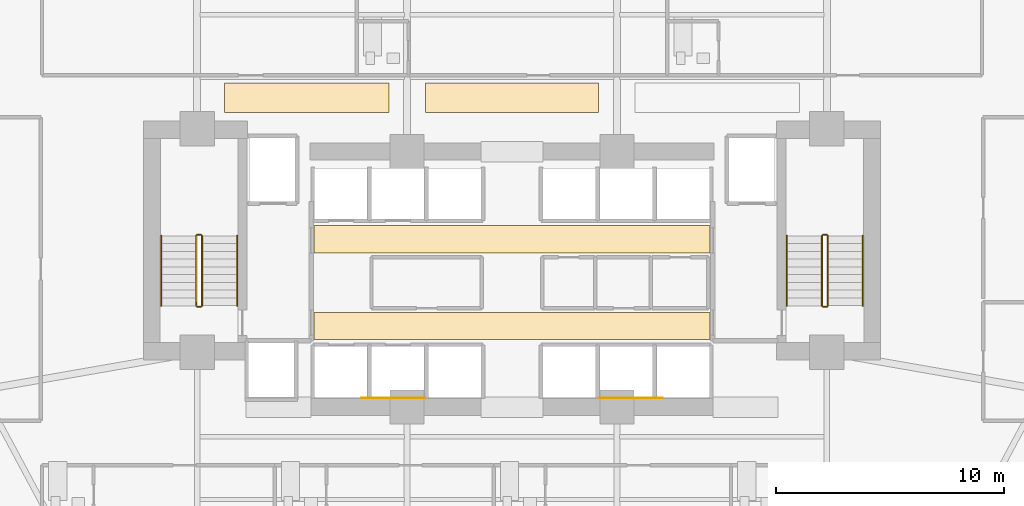
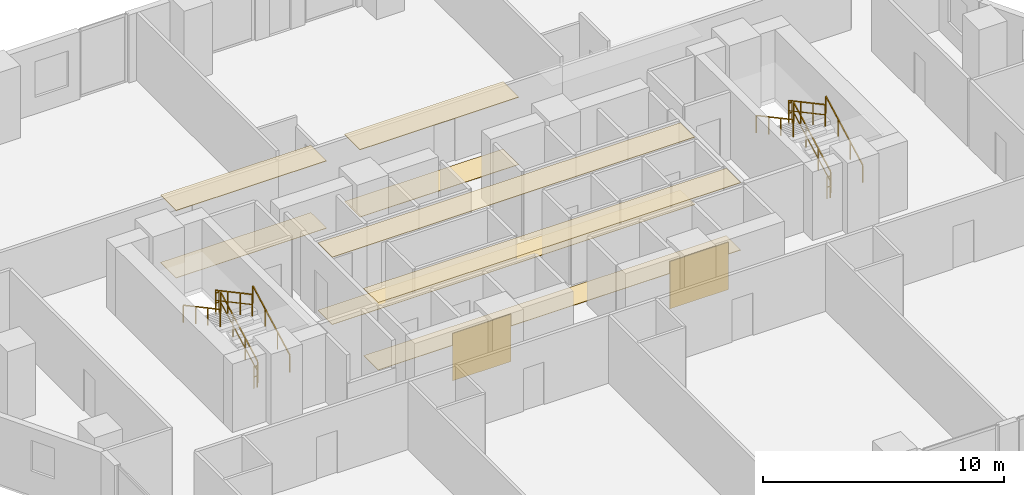
# One storey, part 26 of 28: 12 railings, 10 coverings.
"""IFC4 building model written with IfcOpenShell, lengths in metres."""

from ifc_helpers import new_model, si_unit, direction, frame, origin, origin_2d, place, context, subcontext, project, spatial, polyline, rectangle, outline, extrude, material, layer, layer_set, type_object, element, save


model = new_model("IFC4")

# Units and contexts
model_context = context("Model", 3, precision=1e-05, world=origin(), true_north=direction((0.0, 1.0)))
body_context = subcontext(model_context, "Body", "Model", "MODEL_VIEW")
ifc_project = project(units=[si_unit("LENGTHUNIT", "METRE"), si_unit("AREAUNIT", "SQUARE_METRE"), si_unit("VOLUMEUNIT", "CUBIC_METRE"), si_unit("PLANEANGLEUNIT", "RADIAN"), si_unit("MASSUNIT", "GRAM", prefix="KILO")], contexts=[model_context])

# Site, building, storey
site_placement = place(None, origin())
site = spatial("IfcSite", under=ifc_project, at=site_placement, CompositionType="ELEMENT")
building_placement = place(site_placement, origin())
building = spatial("IfcBuilding", under=site, at=building_placement, Name="Zuhayl Quay Hotel", CompositionType="ELEMENT")
storey_placement = place(building_placement, frame((0.0, 0.0, 143.10009765625)))
storey = spatial("IfcBuildingStorey", under=building, at=storey_placement, Name="L36", CompositionType="ELEMENT", Elevation=143.10009765625)

# Coverings
ifc_material_1 = material(Name="Acoustic Mineral-Fibre Gypsum Board")
ifc_layer_1 = layer(ifc_material_1, 0.02490234375, Name="Acoustic Mineral-Fibre Gypsum Board")
ifc_layer_set_1 = layer_set([ifc_layer_1], Name="Acoustic Mineral-Fibre Gypsum Board")
covering_type_1 = type_object("IfcCoveringType", Name="CV_CEIL_ACOUSTIC", PredefinedType="CEILING", material=ifc_layer_set_1)
covering_1_placement = place(storey_placement, frame((0.0, 0.0, 3.40478515625)))
element("IfcCovering", 1, at=covering_1_placement, inside=storey, type_object=covering_type_1, Name="L36 Suspended Acoustic Lobby Ceiling S", PredefinedType="CEILING", context=body_context, shape_type="SweptSolid", body=[
    extrude(outline(polyline([(-8.679931640625, 5.10009765625), (8.679931640625, 5.10009765625), (8.679931640625, 6.300048828125), (-8.679931640625, 6.300048828125), (-8.679931640625, 5.10009765625)])), origin(), (0.0, 0.0, 1.0), 0.025146484375),
])
covering_2_placement = place(storey_placement, frame((0.0, 0.0, 3.40478515625)))
element("IfcCovering", 2, at=covering_2_placement, inside=storey, type_object=covering_type_1, Name="L36 Suspended Acoustic Lobby Ceiling N", PredefinedType="CEILING", context=body_context, shape_type="SweptSolid", body=[
    extrude(outline(polyline([(-8.679931640625, 8.89990234375), (8.679931640625, 8.89990234375), (8.679931640625, 10.10009765625), (-8.679931640625, 10.10009765625), (-8.679931640625, 8.89990234375)])), origin(), (0.0, 0.0, 1.0), 0.025146484375),
])
covering_3_placement = place(storey_placement, frame((0.0, 0.0, 3.40478515625)))
element("IfcCovering", 3, at=covering_3_placement, inside=storey, type_object=covering_type_1, Name="L36 Guest Corridor Acoustic Ceiling CW", PredefinedType="CEILING", context=body_context, shape_type="SweptSolid", body=[
    extrude(outline(polyline([(-12.60009765625, 15.050048828125), (-5.39990234375, 15.050048828125), (-5.39990234375, 16.35009765625), (-12.60009765625, 16.35009765625), (-12.60009765625, 15.050048828125)])), origin(), (0.0, 0.0, 1.0), 0.025146484375),
])
covering_4_placement = place(storey_placement, frame((0.0, 0.0, 3.40478515625)))
element("IfcCovering", 4, at=covering_4_placement, inside=storey, type_object=covering_type_1, Name="L36 Guest Corridor Acoustic Ceiling CC", PredefinedType="CEILING", context=body_context, shape_type="SweptSolid", body=[
    extrude(outline(polyline([(-3.800048828125, 15.050048828125), (3.800048828125, 15.050048828125), (3.800048828125, 16.35009765625), (-3.800048828125, 16.35009765625), (-3.800048828125, 15.050048828125)])), origin(), (0.0, 0.0, 1.0), 0.025146484375),
])
ifc_material_2 = material(Name="Polished Limestone Terrazzo", Category="masonry")
ifc_layer_2 = layer(ifc_material_2, 0.02001953125, Name="Polished Limestone Terrazzo", Category="masonry")
ifc_layer_set_2 = layer_set([ifc_layer_2], Name="Polished Limestone Terrazzo")
covering_type_2 = type_object("IfcCoveringType", Name="CV_FLOOR_TERRAZZO", PredefinedType="FLOORING", material=ifc_layer_set_2)
covering_5_placement = place(storey_placement, origin())
element("IfcCovering", 5, at=covering_5_placement, inside=storey, type_object=covering_type_2, Name="L36 Honed Limestone Terrazzo Lobby Flooring S", PredefinedType="FLOORING", context=body_context, shape_type="SweptSolid", body=[
    extrude(outline(polyline([(-8.679931640625, 5.10009765625), (8.679931640625, 5.10009765625), (8.679931640625, 6.300048828125), (-8.679931640625, 6.300048828125), (-8.679931640625, 5.10009765625)])), origin(), (0.0, 0.0, 1.0), 0.02001953125),
])
covering_6_placement = place(storey_placement, origin())
element("IfcCovering", 6, at=covering_6_placement, inside=storey, type_object=covering_type_2, Name="L36 Honed Limestone Terrazzo Lobby Flooring N", PredefinedType="FLOORING", context=body_context, shape_type="SweptSolid", body=[
    extrude(outline(polyline([(-8.679931640625, 8.89990234375), (8.679931640625, 8.89990234375), (8.679931640625, 10.10009765625), (-8.679931640625, 10.10009765625), (-8.679931640625, 8.89990234375)])), origin(), (0.0, 0.0, 1.0), 0.02001953125),
])
covering_7_placement = place(storey_placement, origin())
element("IfcCovering", 7, at=covering_7_placement, inside=storey, type_object=covering_type_2, Name="L36 Guest Corridor Terrazzo Runner CW", PredefinedType="FLOORING", context=body_context, shape_type="SweptSolid", body=[
    extrude(outline(polyline([(-12.60009765625, 15.050048828125), (-5.39990234375, 15.050048828125), (-5.39990234375, 16.35009765625), (-12.60009765625, 16.35009765625), (-12.60009765625, 15.050048828125)])), origin(), (0.0, 0.0, 1.0), 0.02001953125),
])
covering_8_placement = place(storey_placement, origin())
element("IfcCovering", 8, at=covering_8_placement, inside=storey, type_object=covering_type_2, Name="L36 Guest Corridor Terrazzo Runner CC", PredefinedType="FLOORING", context=body_context, shape_type="SweptSolid", body=[
    extrude(outline(polyline([(-3.800048828125, 15.050048828125), (3.800048828125, 15.050048828125), (3.800048828125, 16.35009765625), (-3.800048828125, 16.35009765625), (-3.800048828125, 15.050048828125)])), origin(), (0.0, 0.0, 1.0), 0.02001953125),
])
ifc_material_3 = material(Name="Acoustic Walnut Feature Timber", Category="wood")
ifc_layer_3 = layer(ifc_material_3, 0.02197265625, Name="Acoustic Walnut Feature Timber", Category="wood")
ifc_layer_set_3 = layer_set([ifc_layer_3], Name="Acoustic Walnut Feature Timber")
covering_type_3 = type_object("IfcCoveringType", Name="CV_WALL_CLAD", PredefinedType="CLADDING", material=ifc_layer_set_3)
for number, where, z_axis, x_axis, name in (
    (9, (-5.199951171875, 2.535888671875, 0.300048828125), (0.0, 0.0, 1.0), (1.0, 0.0, 0.0), "L36 Feature Lobby Walnut Wall Cladding W"),
    (10, (5.199951171875, 2.535888671875, 0.300048828125), (0.0, 0.0, 1.0), (1.0, 0.0, 0.0), "L36 Feature Lobby Walnut Wall Cladding E"),
):
    element("IfcCovering", number, at=place(storey_placement, frame(where, z_axis=z_axis, x_axis=x_axis)), inside=storey, type_object=covering_type_3, Name=name, PredefinedType="CLADDING", context=body_context, shape_type="SweptSolid", body=[
        extrude(rectangle(XDim=2.800048828125, YDim=0.02197265625, at=origin_2d()), origin(), (0.0, 0.0, 1.0), 2.39990234375),
    ])

# Railings
ifc_material_4 = material(Name="Steel ASTM A992 Grade 50", Category="steel")
railing_type_1 = type_object("IfcRailingType", Name="RL_GUARD_1100", PredefinedType="GUARDRAIL", material=ifc_material_4)
railing_1_placement = place(storey_placement, frame((-13.590087890625, 6.590087890625, 0.182373046875)))
element("IfcRailing", 11, at=railing_1_placement, inside=storey, type_object=railing_type_1, Name="L36 ST1 stair guard 1", PredefinedType="GUARDRAIL", context=body_context, shape_type="SweptSolid", body=[
    extrude(rectangle(XDim=0.048095703125, YDim=0.048095703125, at=origin_2d()), frame((0.0, 0.0, 1.09619140625), z_axis=(0.0, 0.88107310026, 0.472980117973), x_axis=(-1.0, 0.0, 0.0)), (0.0, 0.0, 1.0), 3.472900390625),
    extrude(rectangle(XDim=0.0361328125, YDim=0.0361328125, at=origin_2d()), frame((0.0, 0.0, 0.58251953125), z_axis=(0.0, 0.88107310026, 0.472980117973), x_axis=(-1.0, 0.0, 0.0)), (0.0, 0.0, 1.0), 3.472900390625),
    extrude(rectangle(XDim=0.0419921875, YDim=0.0419921875, at=origin_2d()), origin(), (0.0, 0.0, 1.0), 1.072021484375),
    extrude(rectangle(XDim=0.0419921875, YDim=0.0419921875, at=origin_2d()), frame((0.0, 1.02001953125, 0.547607421875)), (0.0, 0.0, 1.0), 1.072021484375),
    extrude(rectangle(XDim=0.0419921875, YDim=0.0419921875, at=origin_2d()), frame((0.0, 2.039794921875, 1.094970703125)), (0.0, 0.0, 1.0), 1.072021484375),
    extrude(rectangle(XDim=0.0419921875, YDim=0.0419921875, at=origin_2d()), frame((0.0, 3.059814453125, 1.642578125)), (0.0, 0.0, 1.0), 1.072021484375),
])
railing_2_placement = place(storey_placement, frame((-13.639892578125, 9.699951171875, 1.824951171875)))
element("IfcRailing", 12, at=railing_2_placement, inside=storey, type_object=railing_type_1, Name="L36 ST1 stair guard 2", PredefinedType="GUARDRAIL", context=body_context, shape_type="SweptSolid", body=[
    extrude(rectangle(XDim=0.048095703125, YDim=0.048095703125, at=origin_2d()), frame((0.0, 0.0, 1.09619140625), z_axis=(-1.0, 0.0, 0.0), x_axis=(0.0, -1.0, 0.0)), (0.0, 0.0, 1.0), 0.150146484375),
    extrude(rectangle(XDim=0.0361328125, YDim=0.0361328125, at=origin_2d()), frame((0.0, 0.0, 0.58251953125), z_axis=(-1.0, 0.0, 0.0), x_axis=(0.0, -1.0, 0.0)), (0.0, 0.0, 1.0), 0.150146484375),
    extrude(rectangle(XDim=0.0419921875, YDim=0.0419921875, at=origin_2d()), origin(), (0.0, 0.0, 1.0), 1.072021484375),
    extrude(rectangle(XDim=0.0419921875, YDim=0.0419921875, at=origin_2d()), frame((-0.150146484375, 0.0, 0.0)), (0.0, 0.0, 1.0), 1.072021484375),
])
railing_3_placement = place(storey_placement, frame((-13.840087890625, 9.64990234375, 2.00732421875)))
element("IfcRailing", 13, at=railing_3_placement, inside=storey, type_object=railing_type_1, Name="L36 ST1 stair guard 3", PredefinedType="GUARDRAIL", context=body_context, shape_type="SweptSolid", body=[
    extrude(rectangle(XDim=0.048095703125, YDim=0.048095703125, at=origin_2d()), frame((0.0, 0.0, 1.09619140625), z_axis=(0.0, -0.88107310026, 0.472980117973), x_axis=(1.0, 0.0, 0.0)), (0.0, 0.0, 1.0), 3.472900390625),
    extrude(rectangle(XDim=0.0361328125, YDim=0.0361328125, at=origin_2d()), frame((0.0, 0.0, 0.58251953125), z_axis=(0.0, -0.88107310026, 0.472980117973), x_axis=(1.0, 0.0, 0.0)), (0.0, 0.0, 1.0), 3.472900390625),
    extrude(rectangle(XDim=0.0419921875, YDim=0.0419921875, at=origin_2d()), origin(), (0.0, 0.0, 1.0), 1.072021484375),
    extrude(rectangle(XDim=0.0419921875, YDim=0.0419921875, at=origin_2d()), frame((0.0, -1.02001953125, 0.547607421875)), (0.0, 0.0, 1.0), 1.072021484375),
    extrude(rectangle(XDim=0.0419921875, YDim=0.0419921875, at=origin_2d()), frame((0.0, -2.039794921875, 1.094970703125)), (0.0, 0.0, 1.0), 1.072021484375),
    extrude(rectangle(XDim=0.0419921875, YDim=0.0419921875, at=origin_2d()), frame((0.0, -3.059814453125, 1.642578125)), (0.0, 0.0, 1.0), 1.072021484375),
])
railing_4_placement = place(storey_placement, frame((-13.639892578125, 6.5400390625, 0.0)))
element("IfcRailing", 14, at=railing_4_placement, inside=storey, type_object=railing_type_1, Name="L36 ST1 stair guard 4", PredefinedType="GUARDRAIL", context=body_context, shape_type="SweptSolid", body=[
    extrude(rectangle(XDim=0.048095703125, YDim=0.048095703125, at=origin_2d()), frame((0.0, 0.0, 1.09619140625), z_axis=(-1.0, 0.0, 0.0), x_axis=(0.0, -1.0, 0.0)), (0.0, 0.0, 1.0), 0.150146484375),
    extrude(rectangle(XDim=0.0361328125, YDim=0.0361328125, at=origin_2d()), frame((0.0, 0.0, 0.58251953125), z_axis=(-1.0, 0.0, 0.0), x_axis=(0.0, -1.0, 0.0)), (0.0, 0.0, 1.0), 0.150146484375),
    extrude(rectangle(XDim=0.0419921875, YDim=0.0419921875, at=origin_2d()), origin(), (0.0, 0.0, 1.0), 1.072021484375),
    extrude(rectangle(XDim=0.0419921875, YDim=0.0419921875, at=origin_2d()), frame((-0.150146484375, 0.0, 0.0)), (0.0, 0.0, 1.0), 1.072021484375),
])
railing_5_placement = place(storey_placement, frame((13.840087890625, 6.590087890625, 0.182373046875)))
element("IfcRailing", 15, at=railing_5_placement, inside=storey, type_object=railing_type_1, Name="L36 ST2 stair guard 1", PredefinedType="GUARDRAIL", context=body_context, shape_type="SweptSolid", body=[
    extrude(rectangle(XDim=0.048095703125, YDim=0.048095703125, at=origin_2d()), frame((0.0, 0.0, 1.09619140625), z_axis=(0.0, 0.88107310026, 0.472980117973), x_axis=(-1.0, 0.0, 0.0)), (0.0, 0.0, 1.0), 3.472900390625),
    extrude(rectangle(XDim=0.0361328125, YDim=0.0361328125, at=origin_2d()), frame((0.0, 0.0, 0.58251953125), z_axis=(0.0, 0.88107310026, 0.472980117973), x_axis=(-1.0, 0.0, 0.0)), (0.0, 0.0, 1.0), 3.472900390625),
    extrude(rectangle(XDim=0.0419921875, YDim=0.0419921875, at=origin_2d()), origin(), (0.0, 0.0, 1.0), 1.072021484375),
    extrude(rectangle(XDim=0.0419921875, YDim=0.0419921875, at=origin_2d()), frame((0.0, 1.02001953125, 0.547607421875)), (0.0, 0.0, 1.0), 1.072021484375),
    extrude(rectangle(XDim=0.0419921875, YDim=0.0419921875, at=origin_2d()), frame((0.0, 2.039794921875, 1.094970703125)), (0.0, 0.0, 1.0), 1.072021484375),
    extrude(rectangle(XDim=0.0419921875, YDim=0.0419921875, at=origin_2d()), frame((0.0, 3.059814453125, 1.642578125)), (0.0, 0.0, 1.0), 1.072021484375),
])
railing_6_placement = place(storey_placement, frame((13.7900390625, 9.699951171875, 1.824951171875)))
element("IfcRailing", 16, at=railing_6_placement, inside=storey, type_object=railing_type_1, Name="L36 ST2 stair guard 2", PredefinedType="GUARDRAIL", context=body_context, shape_type="SweptSolid", body=[
    extrude(rectangle(XDim=0.048095703125, YDim=0.048095703125, at=origin_2d()), frame((0.0, 0.0, 1.09619140625), z_axis=(-1.0, 0.0, 0.0), x_axis=(0.0, -1.0, 0.0)), (0.0, 0.0, 1.0), 0.150146484375),
    extrude(rectangle(XDim=0.0361328125, YDim=0.0361328125, at=origin_2d()), frame((0.0, 0.0, 0.58251953125), z_axis=(-1.0, 0.0, 0.0), x_axis=(0.0, -1.0, 0.0)), (0.0, 0.0, 1.0), 0.150146484375),
    extrude(rectangle(XDim=0.0419921875, YDim=0.0419921875, at=origin_2d()), origin(), (0.0, 0.0, 1.0), 1.072021484375),
    extrude(rectangle(XDim=0.0419921875, YDim=0.0419921875, at=origin_2d()), frame((-0.150146484375, 0.0, 0.0)), (0.0, 0.0, 1.0), 1.072021484375),
])
railing_7_placement = place(storey_placement, frame((13.590087890625, 9.64990234375, 2.00732421875)))
element("IfcRailing", 17, at=railing_7_placement, inside=storey, type_object=railing_type_1, Name="L36 ST2 stair guard 3", PredefinedType="GUARDRAIL", context=body_context, shape_type="SweptSolid", body=[
    extrude(rectangle(XDim=0.048095703125, YDim=0.048095703125, at=origin_2d()), frame((0.0, 0.0, 1.09619140625), z_axis=(0.0, -0.88107310026, 0.472980117973), x_axis=(1.0, 0.0, 0.0)), (0.0, 0.0, 1.0), 3.472900390625),
    extrude(rectangle(XDim=0.0361328125, YDim=0.0361328125, at=origin_2d()), frame((0.0, 0.0, 0.58251953125), z_axis=(0.0, -0.88107310026, 0.472980117973), x_axis=(1.0, 0.0, 0.0)), (0.0, 0.0, 1.0), 3.472900390625),
    extrude(rectangle(XDim=0.0419921875, YDim=0.0419921875, at=origin_2d()), origin(), (0.0, 0.0, 1.0), 1.072021484375),
    extrude(rectangle(XDim=0.0419921875, YDim=0.0419921875, at=origin_2d()), frame((0.0, -1.02001953125, 0.547607421875)), (0.0, 0.0, 1.0), 1.072021484375),
    extrude(rectangle(XDim=0.0419921875, YDim=0.0419921875, at=origin_2d()), frame((0.0, -2.039794921875, 1.094970703125)), (0.0, 0.0, 1.0), 1.072021484375),
    extrude(rectangle(XDim=0.0419921875, YDim=0.0419921875, at=origin_2d()), frame((0.0, -3.059814453125, 1.642578125)), (0.0, 0.0, 1.0), 1.072021484375),
])
railing_8_placement = place(storey_placement, frame((13.7900390625, 6.5400390625, 0.0)))
element("IfcRailing", 18, at=railing_8_placement, inside=storey, type_object=railing_type_1, Name="L36 ST2 stair guard 4", PredefinedType="GUARDRAIL", context=body_context, shape_type="SweptSolid", body=[
    extrude(rectangle(XDim=0.048095703125, YDim=0.048095703125, at=origin_2d()), frame((0.0, 0.0, 1.09619140625), z_axis=(-1.0, 0.0, 0.0), x_axis=(0.0, -1.0, 0.0)), (0.0, 0.0, 1.0), 0.150146484375),
    extrude(rectangle(XDim=0.0361328125, YDim=0.0361328125, at=origin_2d()), frame((0.0, 0.0, 0.58251953125), z_axis=(-1.0, 0.0, 0.0), x_axis=(0.0, -1.0, 0.0)), (0.0, 0.0, 1.0), 0.150146484375),
    extrude(rectangle(XDim=0.0419921875, YDim=0.0419921875, at=origin_2d()), origin(), (0.0, 0.0, 1.0), 1.072021484375),
    extrude(rectangle(XDim=0.0419921875, YDim=0.0419921875, at=origin_2d()), frame((-0.150146484375, 0.0, 0.0)), (0.0, 0.0, 1.0), 1.072021484375),
])
railing_type_2 = type_object("IfcRailingType", Name="RL_HANDRAIL_920", PredefinedType="HANDRAIL", material=ifc_material_4)
railing_9_placement = place(storey_placement, frame((-12.050048828125, 6.590087890625, 0.182373046875)))
element("IfcRailing", 19, at=railing_9_placement, inside=storey, type_object=railing_type_2, Name="L36 ST1 stair handrail 1", PredefinedType="HANDRAIL", context=body_context, shape_type="SweptSolid", body=[
    extrude(rectangle(XDim=0.048095703125, YDim=0.048095703125, at=origin_2d()), frame((0.0, 0.0, 0.8759765625), z_axis=(0.0, 0.88107310026, 0.472980117973), x_axis=(-1.0, 0.0, 0.0)), (0.0, 0.0, 1.0), 3.472900390625),
    extrude(rectangle(XDim=0.0419921875, YDim=0.0419921875, at=origin_2d()), origin(), (0.0, 0.0, 1.0), 0.851806640625),
    extrude(rectangle(XDim=0.0419921875, YDim=0.0419921875, at=origin_2d()), frame((0.0, 1.02001953125, 0.547607421875)), (0.0, 0.0, 1.0), 0.851806640625),
    extrude(rectangle(XDim=0.0419921875, YDim=0.0419921875, at=origin_2d()), frame((0.0, 2.039794921875, 1.094970703125)), (0.0, 0.0, 1.0), 0.851806640625),
    extrude(rectangle(XDim=0.0419921875, YDim=0.0419921875, at=origin_2d()), frame((0.0, 3.059814453125, 1.642578125)), (0.0, 0.0, 1.0), 0.851806640625),
])
railing_10_placement = place(storey_placement, frame((-15.3798828125, 9.64990234375, 2.00732421875)))
element("IfcRailing", 20, at=railing_10_placement, inside=storey, type_object=railing_type_2, Name="L36 ST1 stair handrail 2", PredefinedType="HANDRAIL", context=body_context, shape_type="SweptSolid", body=[
    extrude(rectangle(XDim=0.048095703125, YDim=0.048095703125, at=origin_2d()), frame((0.0, 0.0, 0.8759765625), z_axis=(0.0, -0.88107310026, 0.472980117973), x_axis=(1.0, 0.0, 0.0)), (0.0, 0.0, 1.0), 3.472900390625),
    extrude(rectangle(XDim=0.0419921875, YDim=0.0419921875, at=origin_2d()), origin(), (0.0, 0.0, 1.0), 0.851806640625),
    extrude(rectangle(XDim=0.0419921875, YDim=0.0419921875, at=origin_2d()), frame((0.0, -1.02001953125, 0.547607421875)), (0.0, 0.0, 1.0), 0.851806640625),
    extrude(rectangle(XDim=0.0419921875, YDim=0.0419921875, at=origin_2d()), frame((0.0, -2.039794921875, 1.094970703125)), (0.0, 0.0, 1.0), 0.851806640625),
    extrude(rectangle(XDim=0.0419921875, YDim=0.0419921875, at=origin_2d()), frame((0.0, -3.059814453125, 1.642578125)), (0.0, 0.0, 1.0), 0.851806640625),
])
railing_11_placement = place(storey_placement, frame((15.3798828125, 6.590087890625, 0.182373046875)))
element("IfcRailing", 21, at=railing_11_placement, inside=storey, type_object=railing_type_2, Name="L36 ST2 stair handrail 1", PredefinedType="HANDRAIL", context=body_context, shape_type="SweptSolid", body=[
    extrude(rectangle(XDim=0.048095703125, YDim=0.048095703125, at=origin_2d()), frame((0.0, 0.0, 0.8759765625), z_axis=(0.0, 0.88107310026, 0.472980117973), x_axis=(-1.0, 0.0, 0.0)), (0.0, 0.0, 1.0), 3.472900390625),
    extrude(rectangle(XDim=0.0419921875, YDim=0.0419921875, at=origin_2d()), origin(), (0.0, 0.0, 1.0), 0.851806640625),
    extrude(rectangle(XDim=0.0419921875, YDim=0.0419921875, at=origin_2d()), frame((0.0, 1.02001953125, 0.547607421875)), (0.0, 0.0, 1.0), 0.851806640625),
    extrude(rectangle(XDim=0.0419921875, YDim=0.0419921875, at=origin_2d()), frame((0.0, 2.039794921875, 1.094970703125)), (0.0, 0.0, 1.0), 0.851806640625),
    extrude(rectangle(XDim=0.0419921875, YDim=0.0419921875, at=origin_2d()), frame((0.0, 3.059814453125, 1.642578125)), (0.0, 0.0, 1.0), 0.851806640625),
])
railing_12_placement = place(storey_placement, frame((12.050048828125, 9.64990234375, 2.00732421875)))
element("IfcRailing", 22, at=railing_12_placement, inside=storey, type_object=railing_type_2, Name="L36 ST2 stair handrail 2", PredefinedType="HANDRAIL", context=body_context, shape_type="SweptSolid", body=[
    extrude(rectangle(XDim=0.048095703125, YDim=0.048095703125, at=origin_2d()), frame((0.0, 0.0, 0.8759765625), z_axis=(0.0, -0.88107310026, 0.472980117973), x_axis=(1.0, 0.0, 0.0)), (0.0, 0.0, 1.0), 3.472900390625),
    extrude(rectangle(XDim=0.0419921875, YDim=0.0419921875, at=origin_2d()), origin(), (0.0, 0.0, 1.0), 0.851806640625),
    extrude(rectangle(XDim=0.0419921875, YDim=0.0419921875, at=origin_2d()), frame((0.0, -1.02001953125, 0.547607421875)), (0.0, 0.0, 1.0), 0.851806640625),
    extrude(rectangle(XDim=0.0419921875, YDim=0.0419921875, at=origin_2d()), frame((0.0, -2.039794921875, 1.094970703125)), (0.0, 0.0, 1.0), 0.851806640625),
    extrude(rectangle(XDim=0.0419921875, YDim=0.0419921875, at=origin_2d()), frame((0.0, -3.059814453125, 1.642578125)), (0.0, 0.0, 1.0), 0.851806640625),
])

save(model, "model.ifc")
